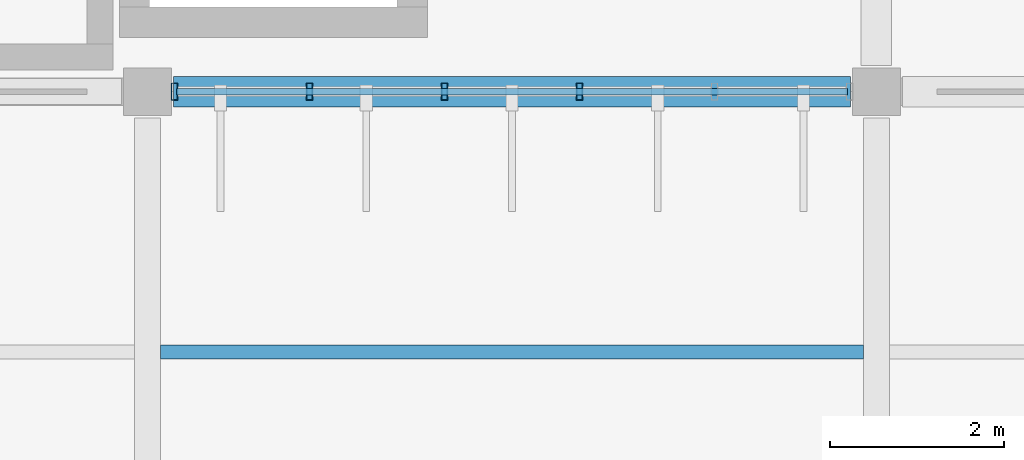
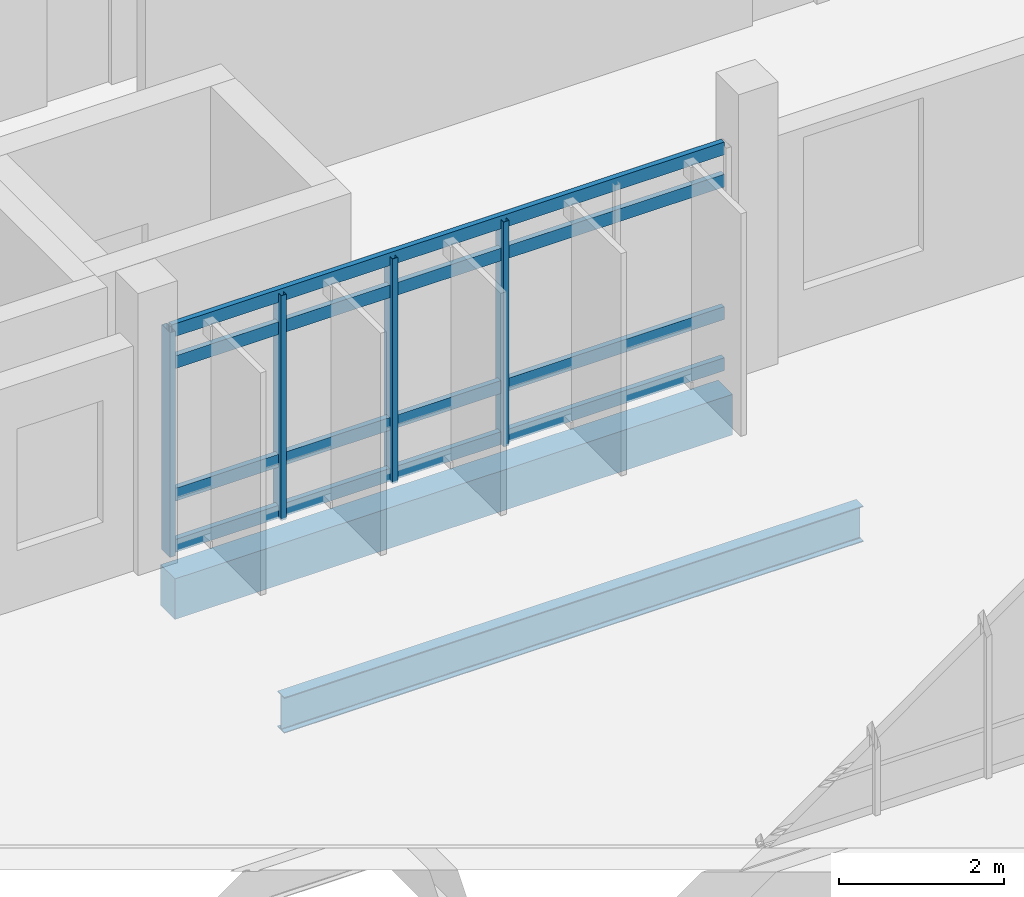
# One storey, part 58 of 130: 8 members, 2 beams, 1 element without a shape of its own.
"""IFC4 building model written with IfcOpenShell, lengths in metres."""

from ifc_helpers import new_model, si_unit, direction, frame, origin, origin_2d, place, context, subcontext, project, spatial, rectangle, hollow_rectangle, i_section, extrude, material, layer, layer_set, material_profile, profile_set, type_object, element, aggregate, save


model = new_model("IFC4")

# Units and contexts
model_context = context("Model", 3, precision=1e-05, world=origin(), true_north=direction((0.0, 1.0)))
body_context = subcontext(model_context, "Body", "Model", "MODEL_VIEW")
ifc_project = project(units=[si_unit("LENGTHUNIT", "METRE"), si_unit("AREAUNIT", "SQUARE_METRE"), si_unit("VOLUMEUNIT", "CUBIC_METRE"), si_unit("PLANEANGLEUNIT", "RADIAN"), si_unit("MASSUNIT", "GRAM", prefix="KILO")], contexts=[model_context])

# Site, building, storey
site_placement = place(None, origin())
site = spatial("IfcSite", under=ifc_project, at=site_placement, CompositionType="ELEMENT")
building_placement = place(site_placement, origin())
building = spatial("IfcBuilding", under=site, at=building_placement, Name="Vireocrest Preparatory School", CompositionType="ELEMENT")
storey_placement = place(building_placement, frame((0.0, 0.0, 9.0)))
storey = spatial("IfcBuildingStorey", under=building, at=storey_placement, Name="L02", CompositionType="ELEMENT", Elevation=9.0)

# Curtain wall, members
ifc_material_1 = material(Name="Thermally broken aluminium EN AW-6063-T6", Category="aluminium")
ifc_layer = layer(ifc_material_1, 0.179931640625)
ifc_layer_set = layer_set([ifc_layer], Name="Thermally broken aluminium EN AW-6063-T6")
curtain_wall_type = type_object("IfcCurtainWallType", Name="North Street Curtain Wall 8400x4000", PredefinedType="USERDEFINED", material=ifc_layer_set)
curtain_wall_placement = place(storey_placement, origin())
curtain_wall = element("IfcCurtainWall", 1, at=curtain_wall_placement, inside=storey, type_object=curtain_wall_type, Name="Curtain Wall CW05 CW_L02_CW05_0590_0948_090", ObjectType="CURTAIN WALL", PredefinedType="USERDEFINED")
ifc_material_profile_1 = material_profile(ifc_material_1, hollow_rectangle(XDim=0.074951171875, YDim=0.199951171875, WallThickness=0.0048828125, at=origin_2d()), Name="ALU 75x200x5")
ifc_profile_set_1 = profile_set([ifc_material_profile_1], Name="Thermally broken aluminium EN AW-6063-T6")
member_type_1 = type_object("IfcMemberType", Name="CW Mullion 75x200x5", PredefinedType="MULLION", material=ifc_profile_set_1)
member_1_placement = place(storey_placement, frame((59.110107421875, 94.800048828125, 0.0), z_axis=(0.0, 0.0, 1.0), x_axis=(1.0, 0.0, 0.0)))
member_1 = element("IfcMember", 2, at=member_1_placement, type_object=member_type_1, Name="CW Mullion ML3 CW_L02_CW05_0590_0948_090-1", PredefinedType="MULLION", context=body_context, shape_type="SweptSolid", body=[
    extrude(hollow_rectangle(XDim=0.074951171875, YDim=0.199951171875, WallThickness=0.0048828125, at=origin_2d()), origin(), (0.0, 0.0, 1.0), 3.324951171875),
])
member_2_placement = place(storey_placement, frame((60.666015625, 94.800048828125, 0.0), z_axis=(0.0, 0.0, 1.0), x_axis=(1.0, 0.0, 0.0)))
member_2 = element("IfcMember", 3, at=member_2_placement, type_object=member_type_1, Name="CW Mullion ML3 CW_L02_CW05_0590_0948_090-2", PredefinedType="MULLION", context=body_context, shape_type="SweptSolid", body=[
    extrude(hollow_rectangle(XDim=0.074951171875, YDim=0.199951171875, WallThickness=0.0048828125, at=origin_2d()), origin(), (0.0, 0.0, 1.0), 3.324951171875),
])
member_3_placement = place(storey_placement, frame((62.221923828125, 94.800048828125, 0.0), z_axis=(0.0, 0.0, 1.0), x_axis=(1.0, 0.0, 0.0)))
member_3 = element("IfcMember", 4, at=member_3_placement, type_object=member_type_1, Name="CW Mullion ML3 CW_L02_CW05_0590_0948_090-3", PredefinedType="MULLION", context=body_context, shape_type="SweptSolid", body=[
    extrude(hollow_rectangle(XDim=0.074951171875, YDim=0.199951171875, WallThickness=0.0048828125, at=origin_2d()), origin(), (0.0, 0.0, 1.0), 3.324951171875),
])
member_4_placement = place(storey_placement, frame((63.778076171875, 94.800048828125, 0.0), z_axis=(0.0, 0.0, 1.0), x_axis=(1.0, 0.0, 0.0)))
member_4 = element("IfcMember", 5, at=member_4_placement, type_object=member_type_1, Name="CW Mullion ML3 CW_L02_CW05_0590_0948_090-4", PredefinedType="MULLION", context=body_context, shape_type="SweptSolid", body=[
    extrude(hollow_rectangle(XDim=0.074951171875, YDim=0.199951171875, WallThickness=0.0048828125, at=origin_2d()), origin(), (0.0, 0.0, 1.0), 3.324951171875),
])
ifc_material_profile_2 = material_profile(ifc_material_1, hollow_rectangle(XDim=0.074951171875, YDim=0.18994140625, WallThickness=0.00390625, at=origin_2d()), Name="ALU 75x190x4")
ifc_profile_set_2 = profile_set([ifc_material_profile_2], Name="Thermally broken aluminium EN AW-6063-T6")
member_type_2 = type_object("IfcMemberType", Name="CW Transom 75x190x4", PredefinedType="USERDEFINED", material=ifc_profile_set_2)
member_5_placement = place(storey_placement, frame((59.135009765625, 94.800048828125, 0.094970703125), z_axis=(1.0, 0.0, 0.0), x_axis=(0.0, 1.0, 0.0)))
member_5 = element("IfcMember", 6, at=member_5_placement, type_object=member_type_2, Name="CW Transom TR3 CW_L02_CW05_0590_0948_090-1", ObjectType="TRANSOM", PredefinedType="USERDEFINED", context=body_context, shape_type="SweptSolid", body=[
    extrude(hollow_rectangle(XDim=0.074951171875, YDim=0.18994140625, WallThickness=0.00390625, at=origin_2d()), origin(), (0.0, 0.0, 1.0), 7.72998046875),
])
member_6_placement = place(storey_placement, frame((59.135009765625, 94.800048828125, 0.85009765625), z_axis=(1.0, 0.0, 0.0), x_axis=(0.0, 1.0, 0.0)))
member_6 = element("IfcMember", 7, at=member_6_placement, type_object=member_type_2, Name="CW Transom TR3 CW_L02_CW05_0590_0948_090-2", ObjectType="TRANSOM", PredefinedType="USERDEFINED", context=body_context, shape_type="SweptSolid", body=[
    extrude(hollow_rectangle(XDim=0.074951171875, YDim=0.18994140625, WallThickness=0.00390625, at=origin_2d()), origin(), (0.0, 0.0, 1.0), 7.72998046875),
])
member_7_placement = place(storey_placement, frame((59.135009765625, 94.800048828125, 2.81005859375), z_axis=(1.0, 0.0, 0.0), x_axis=(0.0, 1.0, 0.0)))
member_7 = element("IfcMember", 8, at=member_7_placement, type_object=member_type_2, Name="CW Transom TR3 CW_L02_CW05_0590_0948_090-3", ObjectType="TRANSOM", PredefinedType="USERDEFINED", context=body_context, shape_type="SweptSolid", body=[
    extrude(hollow_rectangle(XDim=0.074951171875, YDim=0.18994140625, WallThickness=0.00390625, at=origin_2d()), origin(), (0.0, 0.0, 1.0), 7.72998046875),
])
member_8_placement = place(storey_placement, frame((59.135009765625, 94.800048828125, 3.284912109375), z_axis=(1.0, 0.0, 0.0), x_axis=(0.0, 1.0, 0.0)))
member_8 = element("IfcMember", 9, at=member_8_placement, type_object=member_type_2, Name="CW Transom TR3 CW_L02_CW05_0590_0948_090-4", ObjectType="TRANSOM", PredefinedType="USERDEFINED", context=body_context, shape_type="SweptSolid", body=[
    extrude(hollow_rectangle(XDim=0.074951171875, YDim=0.18994140625, WallThickness=0.00390625, at=origin_2d()), origin(), (0.0, 0.0, 1.0), 7.72998046875),
])
aggregate(curtain_wall, [member_1, member_2, member_3, member_4, member_5, member_6, member_7, member_8])

# Beams
ifc_material_2 = material(Name="Structural steel ASTM A992 Grade 50", Category="steel")
ifc_material_profile_3 = material_profile(ifc_material_2, i_section(OverallWidth=0.166015625, OverallDepth=0.529052734375, WebThickness=0.009765625, FlangeThickness=0.013671875, FilletRadius=0.014892578125, at=origin_2d()), Name="W21X50")
ifc_profile_set_3 = profile_set([ifc_material_profile_3], Name="Structural steel ASTM A992 Grade 50")
beam_type_1 = type_object("IfcBeamType", Name="Pavilion Roof Joist W21X50", PredefinedType="JOIST", material=ifc_profile_set_3)
beam_1_placement = place(storey_placement, frame((58.949951171875, 91.800048828125, -0.484619140625), z_axis=(1.0, 0.0, 0.0), x_axis=(0.0, 1.0, 0.0)))
element("IfcBeam", 10, at=beam_1_placement, inside=storey, type_object=beam_type_1, Name="Secondary Joist SJ1 L02-0941", PredefinedType="JOIST", context=body_context, shape_type="SweptSolid", body=[
    extrude(i_section(OverallWidth=0.166015625, OverallDepth=0.529052734375, WebThickness=0.009765625, FlangeThickness=0.013671875, FilletRadius=0.014892578125, at=origin_2d()), origin(), (0.0, 0.0, 1.0), 8.10009765625),
])
ifc_material_3 = material(Name="Concrete 40 MPa", Category="concrete")
ifc_material_profile_4 = material_profile(ifc_material_3, rectangle(XDim=0.35009765625, YDim=0.60009765625, at=origin_2d()), Name="RC 350x600")
ifc_profile_set_4 = profile_set([ifc_material_profile_4], Name="Concrete 40 MPa")
beam_type_2 = type_object("IfcBeamType", Name="RC Classroom Girder 350x600", PredefinedType="BEAM", material=ifc_profile_set_4)
beam_2_placement = place(storey_placement, frame((59.10009765625, 94.800048828125, -0.580078125), z_axis=(1.0, 0.0, 0.0), x_axis=(0.0, 1.0, 0.0)))
element("IfcBeam", 11, at=beam_2_placement, inside=storey, type_object=beam_type_2, Name="Primary Girder B04 L02-0758", PredefinedType="BEAM", context=body_context, shape_type="SweptSolid", body=[
    extrude(rectangle(XDim=0.35009765625, YDim=0.60009765625, at=origin_2d()), origin(), (0.0, 0.0, 1.0), 7.7998046875),
])

save(model, "model.ifc")
